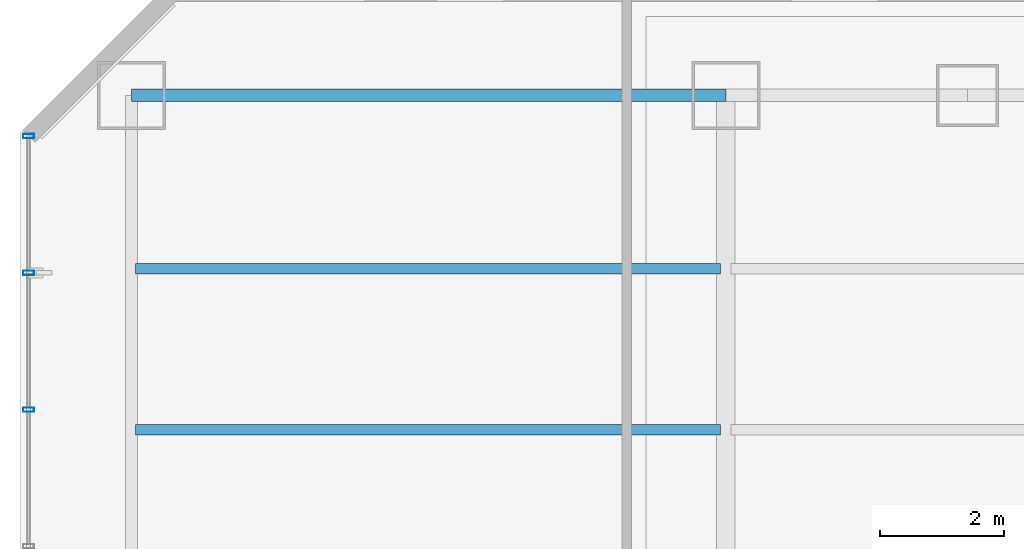
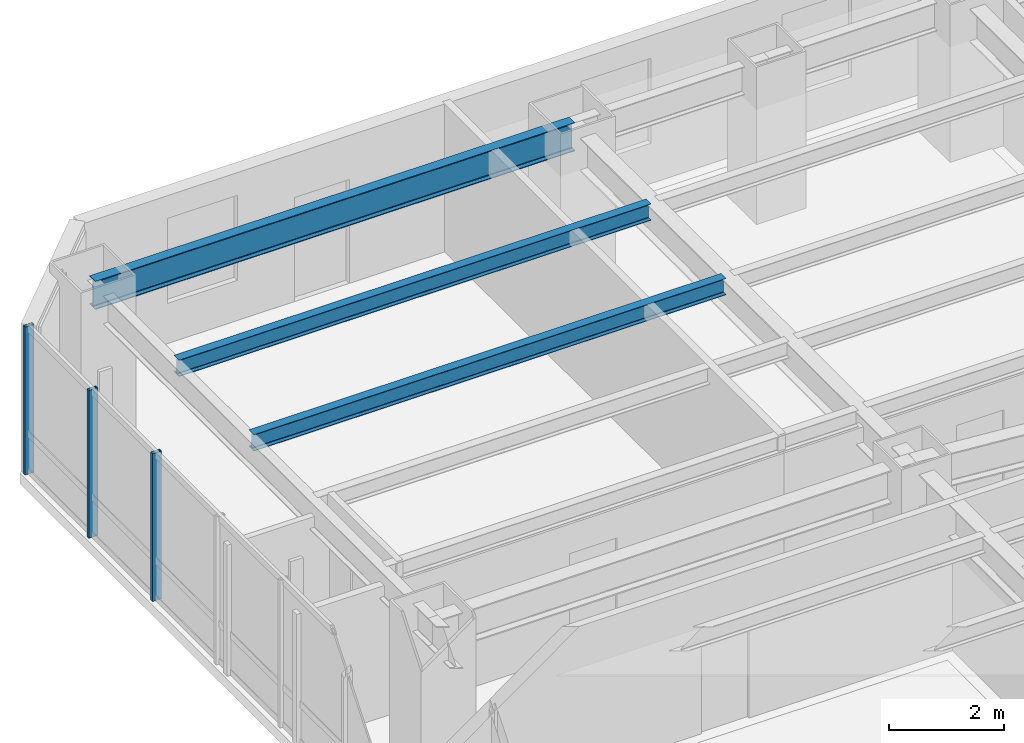
# One storey, part 16 of 37: 3 beams, 3 members, 1 element without a shape of its own.
"""IFC4 building model written with IfcOpenShell, lengths in metres."""

from ifc_helpers import new_model, si_unit, direction, frame, origin, origin_2d, place, context, subcontext, project, spatial, hollow_rectangle, i_section, extrude, material, layer, layer_set, material_profile, profile_set, type_object, element, aggregate, save


model = new_model("IFC4")

# Units and contexts
model_context = context("Model", 3, precision=1e-05, world=origin(), true_north=direction((0.0, 1.0)))
body_context = subcontext(model_context, "Body", "Model", "MODEL_VIEW")
ifc_project = project(units=[si_unit("LENGTHUNIT", "METRE"), si_unit("AREAUNIT", "SQUARE_METRE"), si_unit("VOLUMEUNIT", "CUBIC_METRE"), si_unit("PLANEANGLEUNIT", "RADIAN"), si_unit("MASSUNIT", "GRAM", prefix="KILO")], contexts=[model_context])

# Site, building, storey
site_placement = place(None, origin())
site = spatial("IfcSite", under=ifc_project, at=site_placement, CompositionType="ELEMENT")
building_placement = place(site_placement, origin())
building = spatial("IfcBuilding", under=site, at=building_placement, Name="Hatsunagi Terrace Concourse", CompositionType="ELEMENT")
storey_placement = place(building_placement, frame((0.0, 0.0, 39.949951171875)))
storey = spatial("IfcBuildingStorey", under=building, at=storey_placement, Name="L09", CompositionType="ELEMENT", Elevation=39.949951171875)

# Curtain wall, members
ifc_material_1 = material(Name="Anodised Aluminium Alloy 6063-T5", Category="aluminium")
ifc_layer = layer(ifc_material_1, 0.199951171875)
ifc_layer_set = layer_set([ifc_layer], Name="HotelFacade_CW02")
curtain_wall_type = type_object("IfcCurtainWallType", Name="HotelFacade_CW02", PredefinedType="NOTDEFINED", material=ifc_layer_set)
curtain_wall_placement = place(storey_placement, origin())
curtain_wall = element("IfcCurtainWall", 1, at=curtain_wall_placement, inside=storey, type_object=curtain_wall_type, Name="Unitised Curtain Wall CW-02 CW-L09-09", PredefinedType="NOTDEFINED")
ifc_material_2 = material(Name="Anodised Aluminium Alloy 6063-T5", Category="aluminium")
ifc_material_profile_1 = material_profile(ifc_material_2, hollow_rectangle(XDim=0.070068359375, YDim=0.179931640625, WallThickness=0.00390625, at=origin_2d()), Name="ALU-MUL-180x70x4")
ifc_profile_set_1 = profile_set([ifc_material_profile_1], Name="Anodised Aluminium Alloy 6063-T5")
member_type = type_object("IfcMemberType", Name="CurtainWallMullion_180x70", PredefinedType="MULLION", material=ifc_profile_set_1)
member_1_placement = place(storey_placement, frame((0.139892578125, 43.52490234375, 0.0), z_axis=(0.0, 0.0, 1.0), x_axis=(0.0, 1.0, 0.0)))
member_1 = element("IfcMember", 2, at=member_1_placement, type_object=member_type, Name="Curtain Wall Mullion MUL-02", PredefinedType="MULLION", context=body_context, shape_type="SweptSolid", body=[
    extrude(hollow_rectangle(XDim=0.070068359375, YDim=0.179931640625, WallThickness=0.00390625, at=origin_2d()), origin(), (0.0, 0.0, 1.0), 3.130126953125),
])
member_2_placement = place(storey_placement, frame((0.139892578125, 45.73388671875, 0.0), z_axis=(0.0, 0.0, 1.0), x_axis=(0.0, 1.0, 0.0)))
member_2 = element("IfcMember", 3, at=member_2_placement, type_object=member_type, Name="Curtain Wall Mullion MUL-02", PredefinedType="MULLION", context=body_context, shape_type="SweptSolid", body=[
    extrude(hollow_rectangle(XDim=0.070068359375, YDim=0.179931640625, WallThickness=0.00390625, at=origin_2d()), origin(), (0.0, 0.0, 1.0), 3.130126953125),
])
member_3_placement = place(storey_placement, frame((0.139892578125, 47.94189453125, 0.0), z_axis=(0.0, 0.0, 1.0), x_axis=(0.0, 1.0, 0.0)))
member_3 = element("IfcMember", 4, at=member_3_placement, type_object=member_type, Name="Curtain Wall Mullion MUL-02", PredefinedType="MULLION", context=body_context, shape_type="SweptSolid", body=[
    extrude(hollow_rectangle(XDim=0.070068359375, YDim=0.179931640625, WallThickness=0.00390625, at=origin_2d()), origin(), (0.0, 0.0, 1.0), 3.130126953125),
])
aggregate(curtain_wall, [member_1, member_2, member_3])

# Beams
ifc_material_3 = material(Name="Steel SN490B", Category="steel")
ifc_material_profile_2 = material_profile(ifc_material_3, i_section(OverallWidth=0.175048828125, OverallDepth=0.35009765625, WebThickness=0.007080078125, FlangeThickness=0.010986328125, FilletRadius=0.012939453125, at=origin_2d()), Name="H-350x175x7x11")
ifc_profile_set_2 = profile_set([ifc_material_profile_2], Name="Steel SN490B")
beam_type_1 = type_object("IfcBeamType", Name="HotelJoist_H_350x175", PredefinedType="JOIST", material=ifc_profile_set_2)
for number, where, z_axis, x_axis, name in (
    (5, (1.864990234375, 43.199951171875, 2.955078125), (1.0, 0.0, 0.0), (0.0, 1.0, 0.0), "Beam J-02 J-L09-W-1-432"),
    (6, (1.864990234375, 45.800048828125, 2.955078125), (1.0, 0.0, 0.0), (0.0, 1.0, 0.0), "Beam J-02 J-L09-W-1-458"),
):
    element("IfcBeam", number, at=place(storey_placement, frame(where, z_axis=z_axis, x_axis=x_axis)), inside=storey, type_object=beam_type_1, Name=name, PredefinedType="JOIST", context=body_context, shape_type="SweptSolid", body=[
        extrude(i_section(OverallWidth=0.175048828125, OverallDepth=0.35009765625, WebThickness=0.007080078125, FlangeThickness=0.010986328125, FilletRadius=0.012939453125, at=origin_2d()), origin(), (0.0, 0.0, 1.0), 9.449951171875),
    ])
ifc_material_4 = material(Name="Steel SN490B", Category="steel")
ifc_material_profile_3 = material_profile(ifc_material_4, i_section(OverallWidth=0.199951171875, OverallDepth=0.60009765625, WebThickness=0.010986328125, FlangeThickness=0.01708984375, FilletRadius=0.01806640625, at=origin_2d()), Name="H-600x200x11x17")
ifc_profile_set_3 = profile_set([ifc_material_profile_3], Name="Steel SN490B")
beam_type_2 = type_object("IfcBeamType", Name="PerimeterSpandrel_H_600x200", PredefinedType="SPANDREL", material=ifc_profile_set_3)
beam_placement = place(storey_placement, frame((1.800048828125, 48.60009765625, 2.830078125), z_axis=(1.0, 0.0, 0.0), x_axis=(0.0, 1.0, 0.0)))
element("IfcBeam", 7, at=beam_placement, inside=storey, type_object=beam_type_2, Name="Beam SP-01 BM-L09-WN-1", PredefinedType="SPANDREL", context=body_context, shape_type="SweptSolid", body=[
    extrude(i_section(OverallWidth=0.199951171875, OverallDepth=0.60009765625, WebThickness=0.010986328125, FlangeThickness=0.01708984375, FilletRadius=0.01806640625, at=origin_2d()), origin(), (0.0, 0.0, 1.0), 9.599853515625),
])

save(model, "model.ifc")
